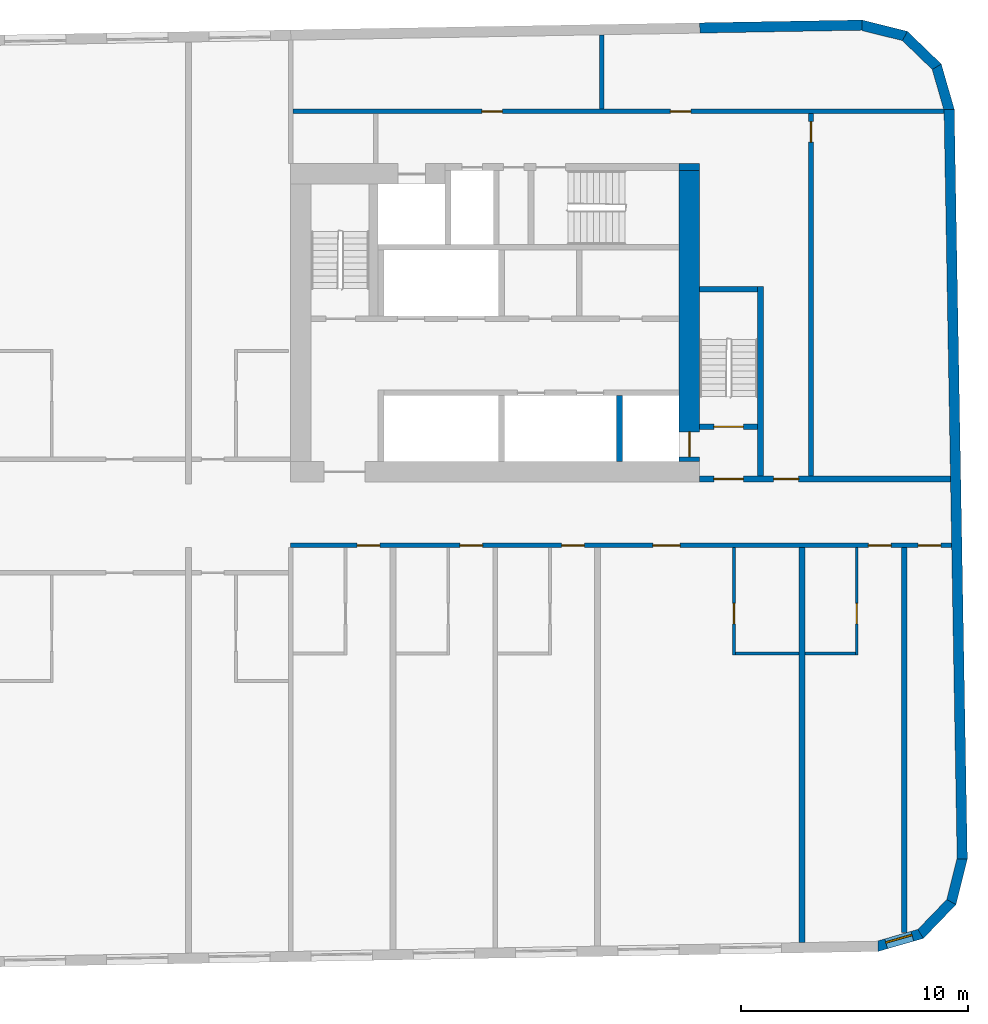
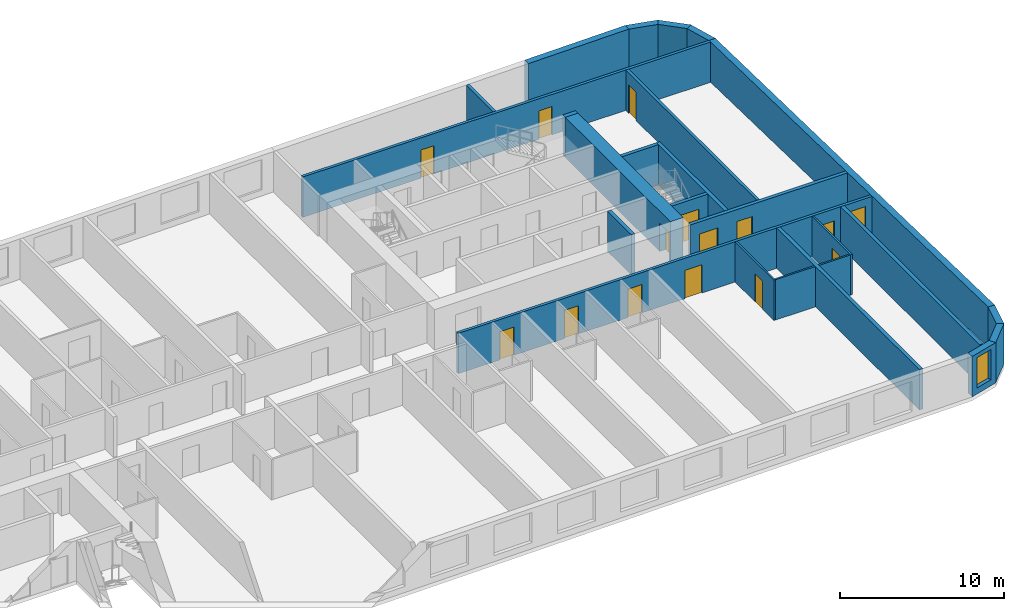
# One storey, part 7 of 11: 25 walls, 15 doors, 1 window, 16 openings.
"""IFC4 building model written with IfcOpenShell, lengths in metres."""

from ifc_helpers import new_model, si_unit, direction, frame, frame_2d, origin, place, context, subcontext, project, spatial, polyline, rectangle, outline, extrude, material, layer, layer_set, type_object, element, fill, save


model = new_model("IFC4")

# Units and contexts
model_context = context("Model", 3, precision=1e-05, world=origin(), true_north=direction((0.0, 1.0)))
body_context = subcontext(model_context, "Body", "Model", "MODEL_VIEW")
ifc_project = project(units=[si_unit("LENGTHUNIT", "METRE"), si_unit("AREAUNIT", "SQUARE_METRE"), si_unit("VOLUMEUNIT", "CUBIC_METRE"), si_unit("PLANEANGLEUNIT", "RADIAN"), si_unit("MASSUNIT", "GRAM", prefix="KILO")], contexts=[model_context])

# Site, building, storey
site_placement = place(None, origin())
site = spatial("IfcSite", under=ifc_project, at=site_placement, CompositionType="ELEMENT")
building_placement = place(site_placement, origin())
building = spatial("IfcBuilding", under=site, at=building_placement, Name="Kajstack Hotel Tower", CompositionType="ELEMENT")
storey_placement = place(building_placement, frame((0.0, 0.0, 254.0)))
storey = spatial("IfcBuildingStorey", under=building, at=storey_placement, Name="L63", CompositionType="ELEMENT", Elevation=254.0)

# Wall
ifc_material_1 = material(Name="Concrete C60/75", Category="concrete")
ifc_layer_1 = layer(ifc_material_1, 0.89990234375)
ifc_layer_set_1 = layer_set([ifc_layer_1], Name="Core wall 900")
wall_type_1 = type_object("IfcWallType", Name="Core wall 900", PredefinedType="SHEAR", material=ifc_layer_set_1)
wall_1_placement = place(storey_placement, frame((30.60009765625, 15.35009765625, 0.0), z_axis=(0.0, 0.0, 1.0), x_axis=(1.0, 0.0, 0.0)))
element("IfcWall", 1, at=wall_1_placement, inside=storey, type_object=wall_type_1, Name="Core wall E RSW", PredefinedType="SHEAR", context=body_context, shape_type="SweptSolid", body=[
    extrude(rectangle(XDim=0.89990234375, YDim=0.300048828125, at=frame_2d((0.449951171875, 0.0))), origin(), (0.0, 0.0, 1.0), 3.0),
])

# Wall, opening, door
wall_2_placement = place(storey_placement, frame((31.050048828125, 2.39990234375, 0.0), z_axis=(0.0, 0.0, 1.0), x_axis=(0.0, 1.0, 0.0)))
wall_2 = element("IfcWall", 2, at=wall_2_placement, inside=storey, type_object=wall_type_1, Name="Core wall E RW", PredefinedType="SHEAR", context=body_context, shape_type="SweptSolid", body=[
    extrude(rectangle(XDim=12.800048828125, YDim=0.89990234375, at=frame_2d((6.39990234375, 0.0))), origin(), (0.0, 0.0, 1.0), 3.0),
])
opening_1_placement = place(wall_2_placement, frame((0.199951171875, 0.0, 0.0)))
opening_1 = element("IfcOpeningElement", 3, at=opening_1_placement, cuts=wall_2, Name="Opening LD-FF2", PredefinedType="OPENING", context=body_context, shape_type="SweptSolid", body=[
    extrude(rectangle(XDim=1.10009765625, YDim=2.10009765625, at=frame_2d((0.550048828125, 1.050048828125))), frame((0.0, 0.4599609375, 0.0), z_axis=(0.0, -1.0, 0.0), x_axis=(1.0, 0.0, 0.0)), (0.0, 0.0, 1.0), 0.919921875),
])
ifc_material_2 = material(Name="Stainless steel", Category="steel")
door_type_1 = type_object("IfcDoorType", Name="Fire-fighting lift landing door 1100", OperationType="SLIDING_TO_LEFT", PredefinedType="DOOR", material=ifc_material_2)
door_1_placement = place(opening_1_placement, origin())
door_1 = element("IfcDoor", 4, at=door_1_placement, inside=storey, type_object=door_type_1, Name="Landing door FF2", OperationType="SLIDING_TO_LEFT", OverallHeight=2.10009765625, OverallWidth=1.10009765625, PredefinedType="DOOR", context=body_context, shape_type="SweptSolid", body=[
    extrude(rectangle(XDim=1.10009765625, YDim=2.10009765625, at=frame_2d((0.550048828125, 1.050048828125))), frame((0.0, 0.02490234375, 0.0), z_axis=(0.0, -1.0, 0.0), x_axis=(1.0, 0.0, 0.0)), (0.0, 0.0, 1.0), 0.050048828125),
])
fill(opening_1, door_1)

# Wall, openings, doors
ifc_material_3 = material(Name="Gypsum board on steel studs, mineral wool", Category="steel")
ifc_layer_2 = layer(ifc_material_3, 0.199951171875)
ifc_layer_set_2 = layer_set([ifc_layer_2], Name="Corridor wall 200")
wall_type_2 = type_object("IfcWallType", Name="Corridor wall 200", PredefinedType="PARTITIONING", material=ifc_layer_set_2)
wall_3_placement = place(storey_placement, frame((13.5, -1.300048828125, 0.0), z_axis=(0.0, 0.0, 1.0), x_axis=(1.0, 0.0, 0.0)))
wall_3 = element("IfcWall", 5, at=wall_3_placement, inside=storey, type_object=wall_type_2, Name="G-wall-L63-029", PredefinedType="PARTITIONING", context=body_context, shape_type="SweptSolid", body=[
    extrude(rectangle(XDim=29.091064453125, YDim=0.199951171875, at=frame_2d((14.54541015625, 0.0))), origin(), (0.0, 0.0, 1.0), 3.0),
])
opening_2_placement = place(wall_3_placement, frame((2.925048828125, 0.0, 0.0)))
opening_2 = element("IfcOpeningElement", 6, at=opening_2_placement, cuts=wall_3, Name="Opening 63029", PredefinedType="OPENING", context=body_context, shape_type="SweptSolid", body=[
    extrude(rectangle(XDim=1.0, YDim=2.10009765625, at=frame_2d((0.5, 1.050048828125))), frame((0.0, 0.10986328125, 0.0), z_axis=(0.0, -1.0, 0.0), x_axis=(1.0, 0.0, 0.0)), (0.0, 0.0, 1.0), 0.219970703125),
])
opening_3_placement = place(wall_3_placement, frame((7.449951171875, 0.0, 0.0)))
opening_3 = element("IfcOpeningElement", 7, at=opening_3_placement, cuts=wall_3, Name="Opening 63031", PredefinedType="OPENING", context=body_context, shape_type="SweptSolid", body=[
    extrude(rectangle(XDim=1.0, YDim=2.10009765625, at=frame_2d((0.5, 1.050048828125))), frame((0.0, 0.10986328125, 0.0), z_axis=(0.0, -1.0, 0.0), x_axis=(1.0, 0.0, 0.0)), (0.0, 0.0, 1.0), 0.219970703125),
])
opening_4_placement = place(wall_3_placement, frame((11.925048828125, 0.0, 0.0)))
opening_4 = element("IfcOpeningElement", 8, at=opening_4_placement, cuts=wall_3, Name="Opening 63033", PredefinedType="OPENING", context=body_context, shape_type="SweptSolid", body=[
    extrude(rectangle(XDim=1.0, YDim=2.10009765625, at=frame_2d((0.5, 1.050048828125))), frame((0.0, 0.10986328125, 0.0), z_axis=(0.0, -1.0, 0.0), x_axis=(1.0, 0.0, 0.0)), (0.0, 0.0, 1.0), 0.219970703125),
])
opening_5_placement = place(wall_3_placement, frame((15.93798828125, 0.0, 0.0)))
opening_5 = element("IfcOpeningElement", 9, at=opening_5_placement, cuts=wall_3, Name="Opening 63035", PredefinedType="OPENING", context=body_context, shape_type="SweptSolid", body=[
    extrude(rectangle(XDim=1.199951171875, YDim=2.10009765625, at=frame_2d((0.60009765625, 1.050048828125))), frame((0.0, 0.10986328125, 0.0), z_axis=(0.0, -1.0, 0.0), x_axis=(1.0, 0.0, 0.0)), (0.0, 0.0, 1.0), 0.219970703125),
])
opening_6_placement = place(wall_3_placement, frame((25.425048828125, 0.0, 0.0)))
opening_6 = element("IfcOpeningElement", 10, at=opening_6_placement, cuts=wall_3, Name="Opening 63037", PredefinedType="OPENING", context=body_context, shape_type="SweptSolid", body=[
    extrude(rectangle(XDim=1.0, YDim=2.10009765625, at=frame_2d((0.5, 1.050048828125))), frame((0.0, 0.10986328125, 0.0), z_axis=(0.0, -1.0, 0.0), x_axis=(1.0, 0.0, 0.0)), (0.0, 0.0, 1.0), 0.219970703125),
])
opening_7_placement = place(wall_3_placement, frame((27.611083984375, 0.0, 0.0)))
opening_7 = element("IfcOpeningElement", 11, at=opening_7_placement, cuts=wall_3, Name="Opening 63039", PredefinedType="OPENING", context=body_context, shape_type="SweptSolid", body=[
    extrude(rectangle(XDim=1.0, YDim=2.39990234375, at=frame_2d((0.5, 1.199951171875))), frame((0.0, 0.10986328125, 0.0), z_axis=(0.0, -1.0, 0.0), x_axis=(1.0, 0.0, 0.0)), (0.0, 0.0, 1.0), 0.219970703125),
])
ifc_material_4 = material(Name="Oak veneer on timber core, fire-rated leaf", Category="wood")
door_type_2 = type_object("IfcDoorType", Name="Flat entrance door 1000", OperationType="SINGLE_SWING_LEFT", PredefinedType="DOOR", material=ifc_material_4)
door_2_placement = place(opening_2_placement, origin())
door_2 = element("IfcDoor", 12, at=door_2_placement, inside=storey, type_object=door_type_2, Name="G-door-L63-29", OperationType="SINGLE_SWING_LEFT", OverallHeight=2.10009765625, OverallWidth=1.0, PredefinedType="DOOR", context=body_context, shape_type="SweptSolid", body=[
    extrude(rectangle(XDim=1.0, YDim=2.10009765625, at=frame_2d((0.5, 1.050048828125))), frame((0.0, 0.02490234375, 0.0), z_axis=(0.0, -1.0, 0.0), x_axis=(1.0, 0.0, 0.0)), (0.0, 0.0, 1.0), 0.050048828125),
])
fill(opening_2, door_2)
door_3_placement = place(opening_3_placement, origin())
door_3 = element("IfcDoor", 13, at=door_3_placement, inside=storey, type_object=door_type_2, Name="G-door-L63-31", OperationType="SINGLE_SWING_LEFT", OverallHeight=2.10009765625, OverallWidth=1.0, PredefinedType="DOOR", context=body_context, shape_type="SweptSolid", body=[
    extrude(rectangle(XDim=1.0, YDim=2.10009765625, at=frame_2d((0.5, 1.050048828125))), frame((0.0, 0.02490234375, 0.0), z_axis=(0.0, -1.0, 0.0), x_axis=(1.0, 0.0, 0.0)), (0.0, 0.0, 1.0), 0.050048828125),
])
fill(opening_3, door_3)
door_4_placement = place(opening_4_placement, origin())
door_4 = element("IfcDoor", 14, at=door_4_placement, inside=storey, type_object=door_type_2, Name="G-door-L63-33", OperationType="SINGLE_SWING_RIGHT", OverallHeight=2.10009765625, OverallWidth=1.0, PredefinedType="DOOR", context=body_context, shape_type="SweptSolid", body=[
    extrude(rectangle(XDim=1.0, YDim=2.10009765625, at=frame_2d((0.5, 1.050048828125))), frame((0.0, 0.02490234375, 0.0), z_axis=(0.0, -1.0, 0.0), x_axis=(1.0, 0.0, 0.0)), (0.0, 0.0, 1.0), 0.050048828125),
])
fill(opening_4, door_4)
door_5_placement = place(opening_6_placement, origin())
door_5 = element("IfcDoor", 15, at=door_5_placement, inside=storey, type_object=door_type_2, Name="G-door-L63-37", OperationType="SINGLE_SWING_LEFT", OverallHeight=2.10009765625, OverallWidth=1.0, PredefinedType="DOOR", context=body_context, shape_type="SweptSolid", body=[
    extrude(rectangle(XDim=1.0, YDim=2.10009765625, at=frame_2d((0.5, 1.050048828125))), frame((0.0, 0.02490234375, 0.0), z_axis=(0.0, -1.0, 0.0), x_axis=(1.0, 0.0, 0.0)), (0.0, 0.0, 1.0), 0.050048828125),
])
fill(opening_6, door_5)
door_type_3 = type_object("IfcDoorType", Name="Flat entrance door 1200", OperationType="SINGLE_SWING_LEFT", PredefinedType="DOOR", material=ifc_material_4)
door_6_placement = place(opening_5_placement, origin())
door_6 = element("IfcDoor", 16, at=door_6_placement, inside=storey, type_object=door_type_3, Name="G-door-L63-35", OperationType="SINGLE_SWING_LEFT", OverallHeight=2.10009765625, OverallWidth=1.199951171875, PredefinedType="DOOR", context=body_context, shape_type="SweptSolid", body=[
    extrude(rectangle(XDim=1.199951171875, YDim=2.10009765625, at=frame_2d((0.60009765625, 1.050048828125))), frame((0.0, 0.02490234375, 0.0), z_axis=(0.0, -1.0, 0.0), x_axis=(1.0, 0.0, 0.0)), (0.0, 0.0, 1.0), 0.050048828125),
])
fill(opening_5, door_6)
ifc_material_5 = material(Name="Steel-faced door leaf, fire-rated", Category="steel")
door_type_4 = type_object("IfcDoorType", Name="Store door 1000", OperationType="SINGLE_SWING_LEFT", PredefinedType="DOOR", material=ifc_material_5)
door_7_placement = place(opening_7_placement, origin())
door_7 = element("IfcDoor", 17, at=door_7_placement, inside=storey, type_object=door_type_4, Name="G-door-L63-39", OperationType="SINGLE_SWING_LEFT", OverallHeight=2.39990234375, OverallWidth=1.0, PredefinedType="DOOR", context=body_context, shape_type="SweptSolid", body=[
    extrude(rectangle(XDim=1.0, YDim=2.39990234375, at=frame_2d((0.5, 1.199951171875))), frame((0.0, 0.02490234375, 0.0), z_axis=(0.0, -1.0, 0.0), x_axis=(1.0, 0.0, 0.0)), (0.0, 0.0, 1.0), 0.050048828125),
])
fill(opening_7, door_7)

# Wall, opening, window
ifc_material_6 = material(Name="Terracotta-faced brick masonry", Category="masonry")
ifc_layer_3 = layer(ifc_material_6, 0.449951171875)
ifc_layer_set_3 = layer_set([ifc_layer_3], Name="EW-TERRA")
wall_type_3 = type_object("IfcWallType", Name="EW-TERRA", PredefinedType="SOLIDWALL", material=ifc_layer_set_3)
wall_4_placement = place(storey_placement, frame((39.290283203125, -18.952392578125, 0.0), z_axis=(0.0, 0.0, 1.0), x_axis=(0.961247584925, 0.275686562016, 0.0)))
wall_4 = element("IfcWall", 18, at=wall_4_placement, inside=storey, type_object=wall_type_3, Name="E-wall-L63-05-00", PredefinedType="SOLIDWALL", context=body_context, shape_type="SweptSolid", body=[
    extrude(outline(polyline([(0.0, -0.224853515625), (2.070556640625, -0.22509765625), (1.949951171875, 0.224853515625), (0.12060546875, 0.22509765625), (0.0, -0.224853515625)])), origin(), (0.0, 0.0, 1.0), 3.0),
])
opening_8_placement = place(wall_4_placement, frame((0.435302734375, 0.0, 0.449951171875)))
opening_8 = element("IfcOpeningElement", 19, at=opening_8_placement, cuts=wall_4, Name="Opening W3", PredefinedType="OPENING", context=body_context, shape_type="SweptSolid", body=[
    extrude(rectangle(XDim=1.199951171875, YDim=2.25, at=frame_2d((0.60009765625, 1.125))), frame((0.0, 0.23486328125, 0.0), z_axis=(0.0, -1.0, 0.0), x_axis=(1.0, 0.0, 0.0)), (0.0, 0.0, 1.0), 0.469970703125),
])
ifc_material_7 = material(Name="Timber-aluminium window, triple glazed", Category="wood")
window_type = type_object("IfcWindowType", Name="WG3", PartitioningType="SINGLE_PANEL", PredefinedType="WINDOW", material=ifc_material_7)
window_placement = place(opening_8_placement, origin())
window = element("IfcWindow", 20, at=window_placement, inside=storey, type_object=window_type, Name="Window W3 L63-05", OverallHeight=2.25, OverallWidth=1.199951171875, PartitioningType="SINGLE_PANEL", PredefinedType="WINDOW", context=body_context, shape_type="SweptSolid", body=[
    extrude(rectangle(XDim=1.199951171875, YDim=2.25, at=frame_2d((0.60009765625, 1.125))), frame((0.0, 0.090087890625, 0.0), z_axis=(0.0, -1.0, 0.0), x_axis=(1.0, 0.0, 0.0)), (0.0, 0.0, 1.0), 0.06005859375),
])
fill(opening_8, window)

# Walls
wall_5_placement = place(storey_placement, frame((41.1806640625, -18.441650390625, 0.0), z_axis=(0.0, 0.0, 1.0), x_axis=(0.694678672846, 0.719320193998, 0.0)))
element("IfcWall", 21, at=wall_5_placement, inside=storey, type_object=wall_type_3, Name="E-wall-L63-06-00", PredefinedType="SOLIDWALL", context=body_context, shape_type="SweptSolid", body=[
    extrude(outline(polyline([(0.0, -0.22509765625), (2.07080078125, -0.224853515625), (1.9501953125, 0.22509765625), (0.12060546875, 0.22509765625), (0.0, -0.22509765625)])), origin(), (0.0, 0.0, 1.0), 3.0),
])
wall_6_placement = place(storey_placement, frame((42.562744140625, -17.053955078125, 0.0), z_axis=(0.0, 0.0, 1.0), x_axis=(0.241841950319, 0.970315655375, 0.0)))
element("IfcWall", 22, at=wall_6_placement, inside=storey, type_object=wall_type_3, Name="E-wall-L63-07-00", PredefinedType="SOLIDWALL", context=body_context, shape_type="SweptSolid", body=[
    extrude(outline(polyline([(0.0, -0.224853515625), (2.070556640625, -0.22509765625), (1.949951171875, 0.224853515625), (0.12060546875, 0.22509765625), (0.0, -0.224853515625)])), origin(), (0.0, 0.0, 1.0), 3.0),
])
wall_7_placement = place(storey_placement, frame((43.056884765625, -15.103271484375, 0.0), z_axis=(0.0, 0.0, 1.0), x_axis=(-0.017452408953, 0.999847695112, 0.0)))
element("IfcWall", 23, at=wall_7_placement, inside=storey, type_object=wall_type_3, Name="E-wall-L63-08-00", PredefinedType="SOLIDWALL", context=body_context, shape_type="SweptSolid", body=[
    extrude(rectangle(XDim=33.0, YDim=0.449951171875, at=frame_2d((16.5, 0.0))), origin(), (0.0, 0.0, 1.0), 3.0),
])
wall_8_placement = place(storey_placement, frame((42.489501953125, 17.83349609375, 0.0), z_axis=(0.0, 0.0, 1.0), x_axis=(-0.275546368831, 0.961287781377, 0.0)))
element("IfcWall", 24, at=wall_8_placement, inside=storey, type_object=wall_type_3, Name="E-wall-L63-09-00", PredefinedType="SOLIDWALL", context=body_context, shape_type="SweptSolid", body=[
    extrude(outline(polyline([(0.0, -0.22509765625), (2.070556640625, -0.224853515625), (1.949951171875, 0.22509765625), (0.12060546875, 0.224853515625), (0.0, -0.22509765625)])), origin(), (0.0, 0.0, 1.0), 3.0),
])
wall_9_placement = place(storey_placement, frame((41.97900390625, 19.72412109375, 0.0), z_axis=(0.0, 0.0, 1.0), x_axis=(-0.719379111448, 0.694617660308, 0.0)))
element("IfcWall", 25, at=wall_9_placement, inside=storey, type_object=wall_type_3, Name="E-wall-L63-10-00", PredefinedType="SOLIDWALL", context=body_context, shape_type="SweptSolid", body=[
    extrude(outline(polyline([(0.0, -0.224853515625), (2.070556640625, -0.22509765625), (1.949951171875, 0.224853515625), (0.12060546875, 0.22509765625), (0.0, -0.224853515625)])), origin(), (0.0, 0.0, 1.0), 3.0),
])
wall_10_placement = place(storey_placement, frame((40.59130859375, 21.10595703125, 0.0), z_axis=(0.0, 0.0, 1.0), x_axis=(-0.970287979719, 0.241952963225, 0.0)))
element("IfcWall", 26, at=wall_10_placement, inside=storey, type_object=wall_type_3, Name="E-wall-L63-11-00", PredefinedType="SOLIDWALL", context=body_context, shape_type="SweptSolid", body=[
    extrude(outline(polyline([(0.0, -0.22509765625), (2.070556640625, -0.224853515625), (1.949951171875, 0.22509765625), (0.12060546875, 0.224853515625), (0.0, -0.22509765625)])), origin(), (0.0, 0.0, 1.0), 3.0),
])
wall_11_placement = place(storey_placement, frame((38.640625, 21.600341796875, 0.0), z_axis=(0.0, 0.0, 1.0), x_axis=(-0.999847245074, -0.017478172627, 0.0)))
element("IfcWall", 27, at=wall_11_placement, inside=storey, type_object=wall_type_3, Name="E-wall-L63-12-00", PredefinedType="SOLIDWALL", context=body_context, shape_type="SweptSolid", body=[
    extrude(rectangle(XDim=7.1376953125, YDim=0.449951171875, at=frame_2d((3.56884765625, 0.0))), origin(), (0.0, 0.0, 1.0), 3.0),
])

# Wall, opening, door
ifc_material_8 = material(Name="Gypsum board and tiled backer on steel studs", Category="steel")
ifc_layer_4 = layer(ifc_material_8, 0.125)
ifc_layer_set_4 = layer_set([ifc_layer_4], Name="En-suite wall 125")
wall_type_4 = type_object("IfcWallType", Name="En-suite wall 125", PredefinedType="PARTITIONING", material=ifc_layer_set_4)
wall_12_placement = place(storey_placement, frame((33.012939453125, -6.125, 0.0), z_axis=(0.0, 0.0, 1.0), x_axis=(0.0, 1.0, 0.0)))
wall_12 = element("IfcWall", 28, at=wall_12_placement, inside=storey, type_object=wall_type_4, Name="G-wall-L63-046", PredefinedType="PARTITIONING", context=body_context, shape_type="SweptSolid", body=[
    extrude(rectangle(XDim=4.72509765625, YDim=0.125, at=frame_2d((2.362548828125, 0.0))), origin(), (0.0, 0.0, 1.0), 3.0),
])
opening_9_placement = place(wall_12_placement, frame((1.375, 0.0, 0.0)))
opening_9 = element("IfcOpeningElement", 29, at=opening_9_placement, cuts=wall_12, Name="Opening 63036", PredefinedType="OPENING", context=body_context, shape_type="SweptSolid", body=[
    extrude(rectangle(XDim=0.89990234375, YDim=2.10009765625, at=frame_2d((0.449951171875, 1.050048828125))), frame((0.0, 0.072509765625, 0.0), z_axis=(0.0, -1.0, 0.0), x_axis=(1.0, 0.0, 0.0)), (0.0, 0.0, 1.0), 0.14501953125),
])
ifc_material_9 = material(Name="Painted timber door leaf", Category="wood")
door_type_5 = type_object("IfcDoorType", Name="Room door 900", OperationType="SINGLE_SWING_LEFT", PredefinedType="DOOR", material=ifc_material_9)
door_8_placement = place(opening_9_placement, origin())
door_8 = element("IfcDoor", 30, at=door_8_placement, inside=storey, type_object=door_type_5, Name="G-door-L63-36", OperationType="SINGLE_SWING_RIGHT", OverallHeight=2.10009765625, OverallWidth=0.89990234375, PredefinedType="DOOR", context=body_context, shape_type="SweptSolid", body=[
    extrude(rectangle(XDim=0.89990234375, YDim=2.10009765625, at=frame_2d((0.449951171875, 1.050048828125))), frame((0.0, 0.02490234375, 0.0), z_axis=(0.0, -1.0, 0.0), x_axis=(1.0, 0.0, 0.0)), (0.0, 0.0, 1.0), 0.050048828125),
])
fill(opening_9, door_8)

# Wall
wall_13_placement = place(storey_placement, frame((33.074951171875, -6.06201171875, 0.0), z_axis=(0.0, 0.0, 1.0), x_axis=(1.0, 0.0, 0.0)))
element("IfcWall", 31, at=wall_13_placement, inside=storey, type_object=wall_type_4, Name="G-wall-L63-047", PredefinedType="PARTITIONING", context=body_context, shape_type="SweptSolid", body=[
    extrude(rectangle(XDim=2.800048828125, YDim=0.125, at=frame_2d((1.39990234375, 0.0))), origin(), (0.0, 0.0, 1.0), 3.0),
])

# Wall, opening, door
wall_14_placement = place(storey_placement, frame((38.4130859375, -6.125, 0.0), z_axis=(0.0, 0.0, 1.0), x_axis=(0.0, 1.0, 0.0)))
wall_14 = element("IfcWall", 32, at=wall_14_placement, inside=storey, type_object=wall_type_4, Name="G-wall-L63-048", PredefinedType="PARTITIONING", context=body_context, shape_type="SweptSolid", body=[
    extrude(rectangle(XDim=4.72509765625, YDim=0.125, at=frame_2d((2.362548828125, 0.0))), origin(), (0.0, 0.0, 1.0), 3.0),
])
opening_10_placement = place(wall_14_placement, frame((1.375, 0.0, 0.0)))
opening_10 = element("IfcOpeningElement", 33, at=opening_10_placement, cuts=wall_14, Name="Opening 63038", PredefinedType="OPENING", context=body_context, shape_type="SweptSolid", body=[
    extrude(rectangle(XDim=0.89990234375, YDim=2.10009765625, at=frame_2d((0.449951171875, 1.050048828125))), frame((0.0, 0.072509765625, 0.0), z_axis=(0.0, -1.0, 0.0), x_axis=(1.0, 0.0, 0.0)), (0.0, 0.0, 1.0), 0.14501953125),
])
door_9_placement = place(opening_10_placement, origin())
door_9 = element("IfcDoor", 34, at=door_9_placement, inside=storey, type_object=door_type_5, Name="G-door-L63-38", OperationType="SINGLE_SWING_LEFT", OverallHeight=2.10009765625, OverallWidth=0.89990234375, PredefinedType="DOOR", context=body_context, shape_type="SweptSolid", body=[
    extrude(rectangle(XDim=0.89990234375, YDim=2.10009765625, at=frame_2d((0.449951171875, 1.050048828125))), frame((0.0, 0.02490234375, 0.0), z_axis=(0.0, -1.0, 0.0), x_axis=(1.0, 0.0, 0.0)), (0.0, 0.0, 1.0), 0.050048828125),
])
fill(opening_10, door_9)

# Walls
wall_15_placement = place(storey_placement, frame((36.125, -6.06201171875, 0.0), z_axis=(0.0, 0.0, 1.0), x_axis=(1.0, 0.0, 0.0)))
element("IfcWall", 35, at=wall_15_placement, inside=storey, type_object=wall_type_4, Name="G-wall-L63-049", PredefinedType="PARTITIONING", context=body_context, shape_type="SweptSolid", body=[
    extrude(rectangle(XDim=2.22509765625, YDim=0.125, at=frame_2d((1.112548828125, 0.0))), origin(), (0.0, 0.0, 1.0), 3.0),
])
ifc_material_10 = material(Name="Concrete C45/55", Category="concrete")
ifc_layer_5 = layer(ifc_material_10, 0.25)
ifc_layer_set_5 = layer_set([ifc_layer_5], Name="RC cross wall 250 C45/55")
wall_type_5 = type_object("IfcWallType", Name="RC cross wall 250 C45/55", PredefinedType="SHEAR", material=ifc_layer_set_5)
wall_16_placement = place(storey_placement, frame((36.0, -18.764892578125, 0.0), z_axis=(0.0, 0.0, 1.0), x_axis=(0.0, 1.0, 0.0)))
element("IfcWall", 36, at=wall_16_placement, inside=storey, type_object=wall_type_5, Name="S-wall-L63-12", PredefinedType="SHEAR", context=body_context, shape_type="SweptSolid", body=[
    extrude(rectangle(XDim=17.364990234375, YDim=0.25, at=frame_2d((8.6826171875, 0.0))), origin(), (0.0, 0.0, 1.0), 3.0),
])
wall_17_placement = place(storey_placement, frame((40.5, -18.3251953125, 0.0), z_axis=(0.0, 0.0, 1.0), x_axis=(0.0, 1.0, 0.0)))
element("IfcWall", 37, at=wall_17_placement, inside=storey, type_object=wall_type_5, Name="S-wall-L63-13", PredefinedType="SHEAR", context=body_context, shape_type="SweptSolid", body=[
    extrude(rectangle(XDim=16.92529296875, YDim=0.25, at=frame_2d((8.462646484375, 0.0))), origin(), (0.0, 0.0, 1.0), 3.0),
])

# Wall, openings, doors
ifc_layer_6 = layer(ifc_material_3, 0.199951171875)
ifc_layer_set_6 = layer_set([ifc_layer_6], Name="Service partition 200")
wall_type_6 = type_object("IfcWallType", Name="Service partition 200", PredefinedType="PARTITIONING", material=ifc_layer_set_6)
wall_18_placement = place(storey_placement, frame((31.5, 1.625, 0.0), z_axis=(0.0, 0.0, 1.0), x_axis=(1.0, 0.0, 0.0)))
wall_18 = element("IfcWall", 38, at=wall_18_placement, inside=storey, type_object=wall_type_6, Name="Partition E SN", PredefinedType="PARTITIONING", context=body_context, shape_type="SweptSolid", body=[
    extrude(rectangle(XDim=11.039794921875, YDim=0.25, at=frame_2d((5.52001953125, 0.0))), origin(), (0.0, 0.0, 1.0), 3.0),
])
opening_11_placement = place(wall_18_placement, frame((0.625, 0.0, 0.0)))
opening_11 = element("IfcOpeningElement", 39, at=opening_11_placement, cuts=wall_18, Name="Opening 63E08", PredefinedType="OPENING", context=body_context, shape_type="SweptSolid", body=[
    extrude(rectangle(XDim=1.300048828125, YDim=2.10009765625, at=frame_2d((0.64990234375, 1.050048828125))), frame((0.0, 0.135009765625, 0.0), z_axis=(0.0, -1.0, 0.0), x_axis=(1.0, 0.0, 0.0)), (0.0, 0.0, 1.0), 0.27001953125),
])
opening_12_placement = place(wall_18_placement, frame((3.25, 0.0, 0.0)))
opening_12 = element("IfcOpeningElement", 40, at=opening_12_placement, cuts=wall_18, Name="Opening 63E10", PredefinedType="OPENING", context=body_context, shape_type="SweptSolid", body=[
    extrude(rectangle(XDim=1.10009765625, YDim=2.10009765625, at=frame_2d((0.550048828125, 1.050048828125))), frame((0.0, 0.135009765625, 0.0), z_axis=(0.0, -1.0, 0.0), x_axis=(1.0, 0.0, 0.0)), (0.0, 0.0, 1.0), 0.27001953125),
])
ifc_material_11 = material(Name="Steel leaf, fire-rated", Category="steel")
door_type_6 = type_object("IfcDoorType", Name="Fire lobby door 1300", OperationType="SINGLE_SWING_LEFT", PredefinedType="DOOR", material=ifc_material_11)
door_10_placement = place(opening_11_placement, origin())
door_10 = element("IfcDoor", 41, at=door_10_placement, inside=storey, type_object=door_type_6, Name="Door 63E08", OperationType="SINGLE_SWING_LEFT", OverallHeight=2.10009765625, OverallWidth=1.300048828125, PredefinedType="DOOR", context=body_context, shape_type="SweptSolid", body=[
    extrude(rectangle(XDim=1.300048828125, YDim=2.10009765625, at=frame_2d((0.64990234375, 1.050048828125))), frame((0.0, 0.02490234375, 0.0), z_axis=(0.0, -1.0, 0.0), x_axis=(1.0, 0.0, 0.0)), (0.0, 0.0, 1.0), 0.050048828125),
])
fill(opening_11, door_10)
ifc_material_12 = material(Name="Timber leaf, fire-rated", Category="wood")
door_type_7 = type_object("IfcDoorType", Name="Service corridor door 1100", OperationType="SINGLE_SWING_LEFT", PredefinedType="DOOR", material=ifc_material_12)
door_11_placement = place(opening_12_placement, origin())
door_11 = element("IfcDoor", 42, at=door_11_placement, inside=storey, type_object=door_type_7, Name="Door 63E10", OperationType="SINGLE_SWING_LEFT", OverallHeight=2.10009765625, OverallWidth=1.10009765625, PredefinedType="DOOR", context=body_context, shape_type="SweptSolid", body=[
    extrude(rectangle(XDim=1.10009765625, YDim=2.10009765625, at=frame_2d((0.550048828125, 1.050048828125))), frame((0.0, 0.02490234375, 0.0), z_axis=(0.0, -1.0, 0.0), x_axis=(1.0, 0.0, 0.0)), (0.0, 0.0, 1.0), 0.050048828125),
])
fill(opening_12, door_11)

# Wall, opening, door
wall_19_placement = place(storey_placement, frame((36.39990234375, 1.75, 0.0), z_axis=(0.0, 0.0, 1.0), x_axis=(0.0, 1.0, 0.0)))
wall_19 = element("IfcWall", 43, at=wall_19_placement, inside=storey, type_object=wall_type_6, Name="Partition E WRE", PredefinedType="PARTITIONING", context=body_context, shape_type="SweptSolid", body=[
    extrude(rectangle(XDim=15.949951171875, YDim=0.199951171875, at=frame_2d((7.97509765625, 0.0))), origin(), (0.0, 0.0, 1.0), 3.0),
])
opening_13_placement = place(wall_19_placement, frame((14.699951171875, 0.0, 0.0)))
opening_13 = element("IfcOpeningElement", 44, at=opening_13_placement, cuts=wall_19, Name="Opening 63E19", PredefinedType="OPENING", context=body_context, shape_type="SweptSolid", body=[
    extrude(rectangle(XDim=0.89990234375, YDim=2.10009765625, at=frame_2d((0.449951171875, 1.050048828125))), frame((0.0, 0.10986328125, 0.0), z_axis=(0.0, -1.0, 0.0), x_axis=(1.0, 0.0, 0.0)), (0.0, 0.0, 1.0), 0.219970703125),
])
door_type_8 = type_object("IfcDoorType", Name="Service door 900", OperationType="SINGLE_SWING_LEFT", PredefinedType="DOOR", material=ifc_material_12)
door_12_placement = place(opening_13_placement, origin())
door_12 = element("IfcDoor", 45, at=door_12_placement, inside=storey, type_object=door_type_8, Name="Door 63E19", OperationType="SINGLE_SWING_RIGHT", OverallHeight=2.10009765625, OverallWidth=0.89990234375, PredefinedType="DOOR", context=body_context, shape_type="SweptSolid", body=[
    extrude(rectangle(XDim=0.89990234375, YDim=2.10009765625, at=frame_2d((0.449951171875, 1.050048828125))), frame((0.0, 0.02490234375, 0.0), z_axis=(0.0, -1.0, 0.0), x_axis=(1.0, 0.0, 0.0)), (0.0, 0.0, 1.0), 0.050048828125),
])
fill(opening_13, door_12)

# Wall, openings, doors
wall_20_placement = place(storey_placement, frame((13.60009765625, 17.800048828125, 0.0), z_axis=(0.0, 0.0, 1.0), x_axis=(1.0, 0.0, 0.0)))
wall_20 = element("IfcWall", 46, at=wall_20_placement, inside=storey, type_object=wall_type_6, Name="Partition E SLN", PredefinedType="PARTITIONING", context=body_context, shape_type="SweptSolid", body=[
    extrude(rectangle(XDim=28.657470703125, YDim=0.199951171875, at=frame_2d((14.32861328125, 0.0))), origin(), (0.0, 0.0, 1.0), 3.0),
])
opening_14_placement = place(wall_20_placement, frame((16.612548828125, 0.0, 0.0)))
opening_14 = element("IfcOpeningElement", 47, at=opening_14_placement, cuts=wall_20, Name="Opening 63E17", PredefinedType="OPENING", context=body_context, shape_type="SweptSolid", body=[
    extrude(rectangle(XDim=0.89990234375, YDim=2.10009765625, at=frame_2d((0.449951171875, 1.050048828125))), frame((0.0, 0.10986328125, 0.0), z_axis=(0.0, -1.0, 0.0), x_axis=(1.0, 0.0, 0.0)), (0.0, 0.0, 1.0), 0.219970703125),
])
opening_15_placement = place(wall_20_placement, frame((8.3125, 0.0, 0.0)))
opening_15 = element("IfcOpeningElement", 48, at=opening_15_placement, cuts=wall_20, Name="Opening 63E18", PredefinedType="OPENING", context=body_context, shape_type="SweptSolid", body=[
    extrude(rectangle(XDim=0.89990234375, YDim=2.10009765625, at=frame_2d((0.449951171875, 1.050048828125))), frame((0.0, 0.10986328125, 0.0), z_axis=(0.0, -1.0, 0.0), x_axis=(1.0, 0.0, 0.0)), (0.0, 0.0, 1.0), 0.219970703125),
])
door_13_placement = place(opening_14_placement, origin())
door_13 = element("IfcDoor", 49, at=door_13_placement, inside=storey, type_object=door_type_8, Name="Door 63E17", OperationType="SINGLE_SWING_LEFT", OverallHeight=2.10009765625, OverallWidth=0.89990234375, PredefinedType="DOOR", context=body_context, shape_type="SweptSolid", body=[
    extrude(rectangle(XDim=0.89990234375, YDim=2.10009765625, at=frame_2d((0.449951171875, 1.050048828125))), frame((0.0, 0.02490234375, 0.0), z_axis=(0.0, -1.0, 0.0), x_axis=(1.0, 0.0, 0.0)), (0.0, 0.0, 1.0), 0.050048828125),
])
fill(opening_14, door_13)
door_14_placement = place(opening_15_placement, origin())
door_14 = element("IfcDoor", 50, at=door_14_placement, inside=storey, type_object=door_type_8, Name="Door 63E18", OperationType="SINGLE_SWING_LEFT", OverallHeight=2.10009765625, OverallWidth=0.89990234375, PredefinedType="DOOR", context=body_context, shape_type="SweptSolid", body=[
    extrude(rectangle(XDim=0.89990234375, YDim=2.10009765625, at=frame_2d((0.449951171875, 1.050048828125))), frame((0.0, 0.02490234375, 0.0), z_axis=(0.0, -1.0, 0.0), x_axis=(1.0, 0.0, 0.0)), (0.0, 0.0, 1.0), 0.050048828125),
])
fill(opening_15, door_14)

# Walls
wall_21_placement = place(storey_placement, frame((27.199951171875, 17.89990234375, 0.0), z_axis=(0.0, 0.0, 1.0), x_axis=(0.0, 1.0, 0.0)))
element("IfcWall", 51, at=wall_21_placement, inside=storey, type_object=wall_type_6, Name="Partition E SLP0", PredefinedType="PARTITIONING", context=body_context, shape_type="SweptSolid", body=[
    extrude(rectangle(XDim=3.27587890625, YDim=0.199951171875, at=frame_2d((1.637939453125, 0.0))), origin(), (0.0, 0.0, 1.0), 3.0),
])
ifc_material_13 = material(Name="Concrete C50/60", Category="concrete")
ifc_layer_7 = layer(ifc_material_13, 0.25)
ifc_layer_set_7 = layer_set([ifc_layer_7], Name="Shaft wall 250")
wall_type_7 = type_object("IfcWallType", Name="Shaft wall 250", PredefinedType="SHEAR", material=ifc_layer_set_7)
wall_22_placement = place(storey_placement, frame((27.97509765625, 2.39990234375, 0.0), z_axis=(0.0, 0.0, 1.0), x_axis=(0.0, 1.0, 0.0)))
element("IfcWall", 52, at=wall_22_placement, inside=storey, type_object=wall_type_7, Name="Core wall E AP0", PredefinedType="SHEAR", context=body_context, shape_type="SweptSolid", body=[
    extrude(rectangle(XDim=2.900146484375, YDim=0.25, at=frame_2d((1.4501953125, 0.0))), origin(), (0.0, 0.0, 1.0), 3.0),
])

# Wall, opening, door
ifc_material_14 = material(Name="Concrete C40/50", Category="concrete")
ifc_layer_8 = layer(ifc_material_14, 0.25)
ifc_layer_set_8 = layer_set([ifc_layer_8], Name="Stair enclosure wall 250")
wall_type_8 = type_object("IfcWallType", Name="Stair enclosure wall 250", PredefinedType="SHEAR", material=ifc_layer_set_8)
wall_23_placement = place(storey_placement, frame((31.5, 3.925048828125, 0.0), z_axis=(0.0, 0.0, 1.0), x_axis=(1.0, 0.0, 0.0)))
wall_23 = element("IfcWall", 53, at=wall_23_placement, inside=storey, type_object=wall_type_8, Name="Core wall E W1N", PredefinedType="SHEAR", context=body_context, shape_type="SweptSolid", body=[
    extrude(rectangle(XDim=2.550048828125, YDim=0.25, at=frame_2d((1.27490234375, 0.0))), origin(), (0.0, 0.0, 1.0), 3.0),
])
opening_16_placement = place(wall_23_placement, frame((0.625, 0.0, 0.0)))
opening_16 = element("IfcOpeningElement", 54, at=opening_16_placement, cuts=wall_23, Name="Opening 63E09", PredefinedType="OPENING", context=body_context, shape_type="SweptSolid", body=[
    extrude(rectangle(XDim=1.300048828125, YDim=2.10009765625, at=frame_2d((0.64990234375, 1.050048828125))), frame((0.0, 0.135009765625, 0.0), z_axis=(0.0, -1.0, 0.0), x_axis=(1.0, 0.0, 0.0)), (0.0, 0.0, 1.0), 0.27001953125),
])
door_type_9 = type_object("IfcDoorType", Name="Stair door 1300", OperationType="SINGLE_SWING_LEFT", PredefinedType="DOOR", material=ifc_material_11)
door_15_placement = place(opening_16_placement, origin())
door_15 = element("IfcDoor", 55, at=door_15_placement, inside=storey, type_object=door_type_9, Name="Door 63E09", OperationType="SINGLE_SWING_LEFT", OverallHeight=2.10009765625, OverallWidth=1.300048828125, PredefinedType="DOOR", context=body_context, shape_type="SweptSolid", body=[
    extrude(rectangle(XDim=1.300048828125, YDim=2.10009765625, at=frame_2d((0.64990234375, 1.050048828125))), frame((0.0, 0.02490234375, 0.0), z_axis=(0.0, -1.0, 0.0), x_axis=(1.0, 0.0, 0.0)), (0.0, 0.0, 1.0), 0.050048828125),
])
fill(opening_16, door_15)

# Walls
wall_24_placement = place(storey_placement, frame((34.175048828125, 1.75, 0.0), z_axis=(0.0, 0.0, 1.0), x_axis=(0.0, 1.0, 0.0)))
element("IfcWall", 56, at=wall_24_placement, inside=storey, type_object=wall_type_8, Name="Core wall E W1W", PredefinedType="SHEAR", context=body_context, shape_type="SweptSolid", body=[
    extrude(rectangle(XDim=8.35009765625, YDim=0.25, at=frame_2d((4.175048828125, 0.0))), origin(), (0.0, 0.0, 1.0), 3.0),
])
wall_25_placement = place(storey_placement, frame((31.5, 9.97509765625, 0.0), z_axis=(0.0, 0.0, 1.0), x_axis=(1.0, 0.0, 0.0)))
element("IfcWall", 57, at=wall_25_placement, inside=storey, type_object=wall_type_8, Name="Core wall E W1S", PredefinedType="SHEAR", context=body_context, shape_type="SweptSolid", body=[
    extrude(rectangle(XDim=2.550048828125, YDim=0.25, at=frame_2d((1.27490234375, 0.0))), origin(), (0.0, 0.0, 1.0), 3.0),
])

save(model, "model.ifc")
